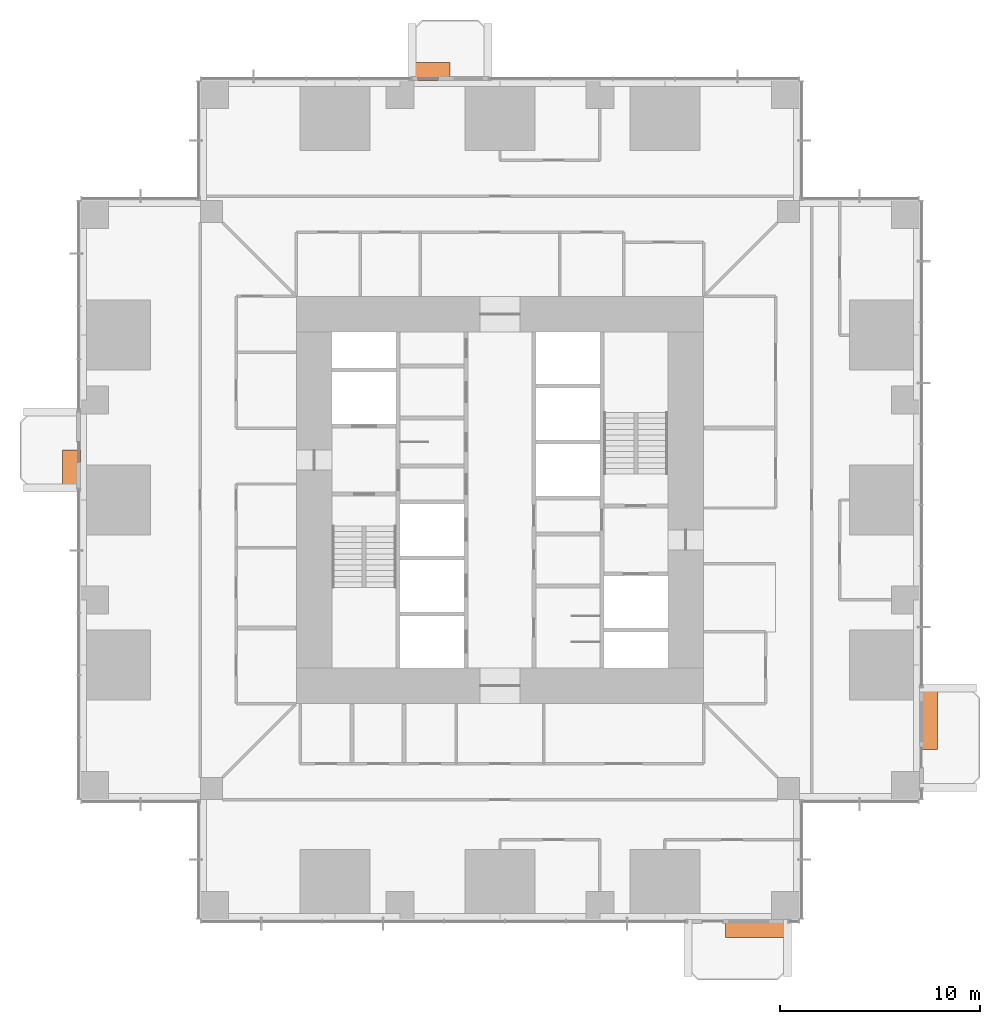
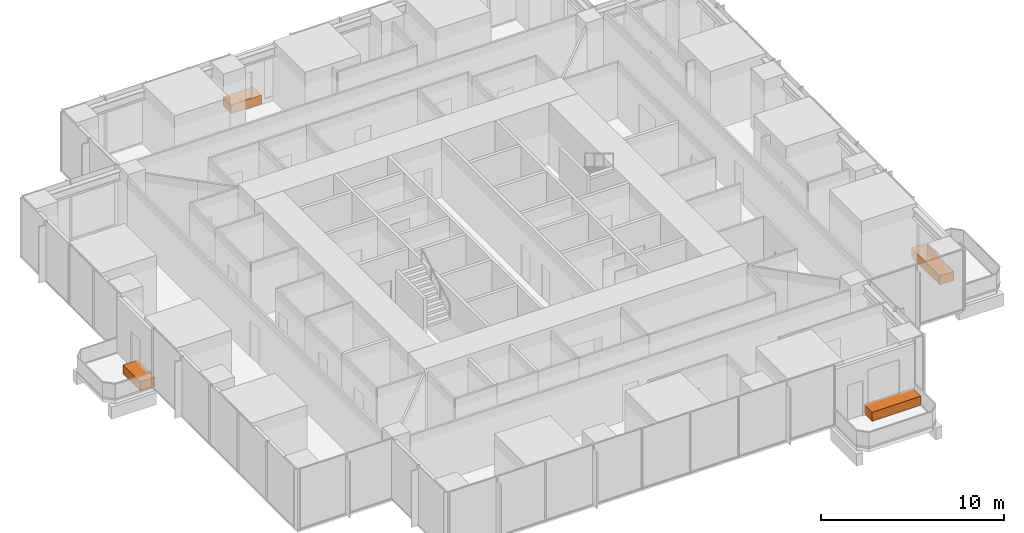
# One storey, part 15 of 15: 4 proxies.
"""IFC4 building model written with IfcOpenShell, lengths in metres."""

import ifcopenshell
import ifcopenshell.guid

model = None  # the IFC model being written
_history = None  # IfcOwnerHistory: only IFC2X3 demands one
_inside = {}  # id of a spatial element -> (the spatial element, [elements in it])
_under = {}  # id of a project, library or spatial element -> (it, [spatial elements below it])
_declared = {}  # id of a project -> (the project, [libraries it declares])
_typed = {}  # id of a type object -> (the type object, [elements of that type])
_made_of = {}  # id of a material, layer set ... -> (it, [elements and type objects made of it])


def new_model(schema):
    """Start an empty IFC model of exactly this schema.

    Asked for "IFC4X3", IfcOpenShell would pick the latest addendum, in which some entities
    have other attributes; the version numbers below select the first issue.
    IFC2X3 requires an IfcOwnerHistory on every rooted entity: one is made here for all.
    """
    global model, _history
    if schema == "IFC4X3":
        model = ifcopenshell.file(schema_version=(4, 3, 0, 0))
    else:
        model = ifcopenshell.file(schema=schema)
    _inside.clear()
    _under.clear()
    _declared.clear()
    _typed.clear()
    _made_of.clear()
    _history = None
    if model.schema == "IFC2X3":
        org = make("IfcOrganization", Name="unknown")
        user = make(
            "IfcPersonAndOrganization",
            ThePerson=make("IfcPerson", FamilyName="unknown"),
            TheOrganization=org,
        )
        app = make(
            "IfcApplication",
            ApplicationDeveloper=org,
            Version="unknown",
            ApplicationFullName="unknown",
            ApplicationIdentifier="unknown",
        )
        _history = make(
            "IfcOwnerHistory",
            OwningUser=user,
            OwningApplication=app,
            ChangeAction="ADDED",
            CreationDate=0,
        )
    return model


def make(cls, **values):
    """One entity of the class cls with the attributes given. An attribute that is None is left unset."""
    return model.create_entity(
        cls, **{name: value for name, value in values.items() if value is not None}
    )


def rooted(cls, **values):
    """An entity with a GlobalId (a new one), such as an element, a storey or a relation."""
    return make(cls, GlobalId=ifcopenshell.guid.new(), OwnerHistory=_history, **values)


def si_unit(unit_type, name, prefix=None):
    """IfcSIUnit, for example si_unit("LENGTHUNIT", "METRE", prefix="MILLI")."""
    return make("IfcSIUnit", UnitType=unit_type, Prefix=prefix, Name=name)


def assignment(units):
    """IfcUnitAssignment: the units of a project."""
    return None if units is None else make("IfcUnitAssignment", Units=units)


def point(xyz):
    """IfcCartesianPoint."""
    return None if xyz is None else make("IfcCartesianPoint", Coordinates=xyz)


def direction(xyz):
    """IfcDirection."""
    return None if xyz is None else make("IfcDirection", DirectionRatios=xyz)


def frame(location, z_axis=None, x_axis=None):
    """IfcAxis2Placement3D, a coordinate frame: its origin and axes. An axis left out is left unset."""
    return make(
        "IfcAxis2Placement3D",
        Location=point(location),
        Axis=direction(z_axis),
        RefDirection=direction(x_axis),
    )


def frame_2d(location, x_axis=None):
    """IfcAxis2Placement2D, a coordinate frame in the plane: its origin and x axis."""
    return make(
        "IfcAxis2Placement2D", Location=point(location), RefDirection=direction(x_axis)
    )


def origin():
    """The frame at (0, 0, 0) with its axes left unset."""
    return frame((0.0, 0.0, 0.0))


def origin_2d():
    """The frame at (0, 0) in the plane with its x axis left unset."""
    return frame_2d((0.0, 0.0))


def place(relative_to, where):
    """IfcLocalPlacement: puts the frame where relative to a parent placement (None: the world)."""
    return make(
        "IfcLocalPlacement", PlacementRelTo=relative_to, RelativePlacement=where
    )


def context(
    kind, dimensions, precision=None, world=None, true_north=None, identifier=None
):
    """IfcGeometricRepresentationContext, for example the 3D "Model" context."""
    return make(
        "IfcGeometricRepresentationContext",
        ContextIdentifier=identifier,
        ContextType=kind,
        CoordinateSpaceDimension=dimensions,
        Precision=precision,
        WorldCoordinateSystem=world,
        TrueNorth=true_north,
    )


def subcontext(parent, identifier, kind, view, scale=None):
    """IfcGeometricRepresentationSubContext, for example "Body" below "Model"."""
    return make(
        "IfcGeometricRepresentationSubContext",
        ContextIdentifier=identifier,
        ContextType=kind,
        ParentContext=parent,
        TargetScale=scale,
        TargetView=view,
    )


def project(units=None, contexts=None):
    """IfcProject with its units and contexts."""
    return rooted(
        "IfcProject",
        Name="project",
        RepresentationContexts=contexts,
        UnitsInContext=assignment(units),
    )


def spatial(cls, under=None, at=None, **own):
    """A site, building, storey or space (cls), placed at a placement, below another one or the project."""
    s = rooted(cls, ObjectPlacement=at, **own)
    if under is not None:
        _under.setdefault(under.id(), (under, []))[1].append(s)
    return s


def profile(cls, at=None, kind="AREA", **sizes):
    """A parametric profile (cls). Its sizes go by their IFC names, for example OverallWidth=200.0."""
    return make(cls, ProfileType=kind, Position=at, **sizes)


def rectangle(**sizes):
    """IfcRectangleProfileDef."""
    return profile("IfcRectangleProfileDef", **sizes)


def extrude(swept, where, along, depth):
    """IfcExtrudedAreaSolid: the profile swept, set in the frame where, extruded along a direction by depth."""
    return make(
        "IfcExtrudedAreaSolid",
        SweptArea=swept,
        Position=where,
        ExtrudedDirection=direction(along),
        Depth=depth,
    )


def shape(context_of_items, identifier, shape_type, items):
    """IfcShapeRepresentation: the items that make up one representation, for example the "Body"."""
    return make(
        "IfcShapeRepresentation",
        ContextOfItems=context_of_items,
        RepresentationIdentifier=identifier,
        RepresentationType=shape_type,
        Items=items,
    )


def made_of(thing, what):
    """Note that an element or type object is made of a material, layer set ...; save() writes the relation."""
    if what is not None:
        _made_of.setdefault(what.id(), (what, []))[1].append(thing)
    return thing


def element(
    cls,
    number,
    at=None,
    inside=None,
    cuts=None,
    type_object=None,
    material=None,
    context=None,
    identifier="Body",
    shape_type=None,
    held_by="IfcProductDefinitionShape",
    body=None,
    shapes=None,
    **own,
):
    """One element of the class cls, such as IfcWall. Its Tag is "e" and its number.

    at: its placement. inside: the storey or other place that contains it. cuts: it is an
    opening in that element (IfcRelVoidsElement). A single representation is given by context,
    identifier, shape_type and body (its items); several are given by shapes. held_by: the class
    of the entity that holds the representations. save() writes the other relations.
    """
    e = rooted(cls, Tag="e%d" % number, ObjectPlacement=at, **own)
    if body is not None:
        shapes = [shape(context, identifier, shape_type, body)]
    if shapes is not None:
        e.Representation = make(held_by, Representations=shapes)
    if inside is not None:
        _inside.setdefault(inside.id(), (inside, []))[1].append(e)
    if cuts is not None:
        rooted(
            "IfcRelVoidsElement", RelatingBuildingElement=cuts, RelatedOpeningElement=e
        )
    if type_object is not None:
        _typed.setdefault(type_object.id(), (type_object, []))[1].append(e)
    return made_of(e, material)


def aggregate(whole, parts):
    """IfcRelAggregates: a whole, such as a stair, and the parts it consists of."""
    return rooted("IfcRelAggregates", RelatingObject=whole, RelatedObjects=parts)


def save(model, path):
    """Write the relations noted so far, then the file.

    IfcRelAggregates (storeys below a building ...), IfcRelContainedInSpatialStructure (elements
    in a storey), IfcRelDefinesByType, IfcRelAssociatesMaterial and IfcRelDeclares: one each for
    every whole, place, type object, material and project.
    """
    for whole, parts in _under.values():
        aggregate(whole, parts)
    for where, things in _inside.values():
        rooted(
            "IfcRelContainedInSpatialStructure",
            RelatedElements=things,
            RelatingStructure=where,
        )
    for kind, things in _typed.values():
        rooted("IfcRelDefinesByType", RelatedObjects=things, RelatingType=kind)
    for what, things in _made_of.values():
        rooted("IfcRelAssociatesMaterial", RelatedObjects=things, RelatingMaterial=what)
    for by, libraries in _declared.values():
        rooted("IfcRelDeclares", RelatingContext=by, RelatedDefinitions=libraries)
    model.write(path)


model = new_model("IFC4")

# Units and contexts
model_context = context("Model", 3, precision=1e-05, world=origin(), true_north=direction((0.0, 1.0)))
body_context = subcontext(model_context, "Body", "Model", "MODEL_VIEW")
ifc_project = project(units=[si_unit("LENGTHUNIT", "METRE"), si_unit("AREAUNIT", "SQUARE_METRE"), si_unit("VOLUMEUNIT", "CUBIC_METRE"), si_unit("PLANEANGLEUNIT", "RADIAN"), si_unit("MASSUNIT", "GRAM", prefix="KILO")], contexts=[model_context])

# Site, building, storey
site_placement = place(None, origin())
site = spatial("IfcSite", under=ifc_project, at=site_placement, CompositionType="ELEMENT")
building_placement = place(site_placement, origin())
building = spatial("IfcBuilding", under=site, at=building_placement, Name="Svetlomir Tower", CompositionType="ELEMENT")
storey_placement = place(building_placement, frame((0.0, 0.0, 66.5)))
storey = spatial("IfcBuildingStorey", under=building, at=storey_placement, Name="L15", CompositionType="ELEMENT", Elevation=66.5)

# Proxies
proxy_1_placement = place(storey_placement, frame((33.85009765625, -0.449951171875, 0.0400390625), z_axis=(0.0, 0.0, 1.0), x_axis=(1.0, 0.0, 0.0)))
element("IfcBuildingElementProxy", 1, at=proxy_1_placement, inside=storey, Name="Tree planter S L15", ObjectType="PLANTER", PredefinedType="USERDEFINED", context=body_context, shape_type="SweptSolid", body=[
    extrude(rectangle(XDim=3.10009765625, YDim=0.89990234375, at=origin_2d()), origin(), (0.0, 0.0, 1.0), 0.60009765625),
])
proxy_2_placement = place(storey_placement, frame((42.449951171875, 10.050048828125, 0.0400390625), z_axis=(0.0, 0.0, 1.0), x_axis=(1.0, 0.0, 0.0)))
element("IfcBuildingElementProxy", 2, at=proxy_2_placement, inside=storey, Name="Tree planter E L15", ObjectType="PLANTER", PredefinedType="USERDEFINED", context=body_context, shape_type="SweptSolid", body=[
    extrude(rectangle(XDim=0.89990234375, YDim=3.10009765625, at=origin_2d()), origin(), (0.0, 0.0, 1.0), 0.60009765625),
])
proxy_3_placement = place(storey_placement, frame((17.550048828125, 42.449951171875, 0.0400390625), z_axis=(0.0, 0.0, 1.0), x_axis=(1.0, 0.0, 0.0)))
element("IfcBuildingElementProxy", 3, at=proxy_3_placement, inside=storey, Name="Tree planter N L15", ObjectType="PLANTER", PredefinedType="USERDEFINED", context=body_context, shape_type="SweptSolid", body=[
    extrude(rectangle(XDim=1.89990234375, YDim=0.89990234375, at=origin_2d()), origin(), (0.0, 0.0, 1.0), 0.60009765625),
])
proxy_4_placement = place(storey_placement, frame((-0.449951171875, 22.550048828125, 0.0400390625), z_axis=(0.0, 0.0, 1.0), x_axis=(1.0, 0.0, 0.0)))
element("IfcBuildingElementProxy", 4, at=proxy_4_placement, inside=storey, Name="Tree planter W L15", ObjectType="PLANTER", PredefinedType="USERDEFINED", context=body_context, shape_type="SweptSolid", body=[
    extrude(rectangle(XDim=0.89990234375, YDim=1.89990234375, at=origin_2d()), origin(), (0.0, 0.0, 1.0), 0.60009765625),
])

save(model, "model.ifc")
